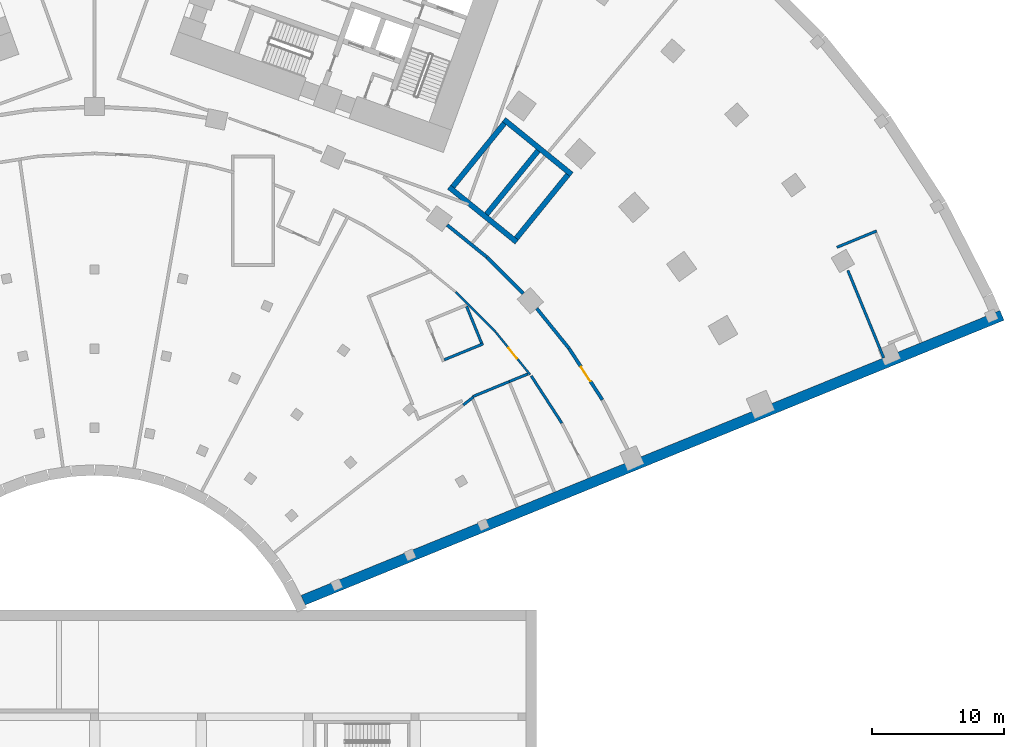
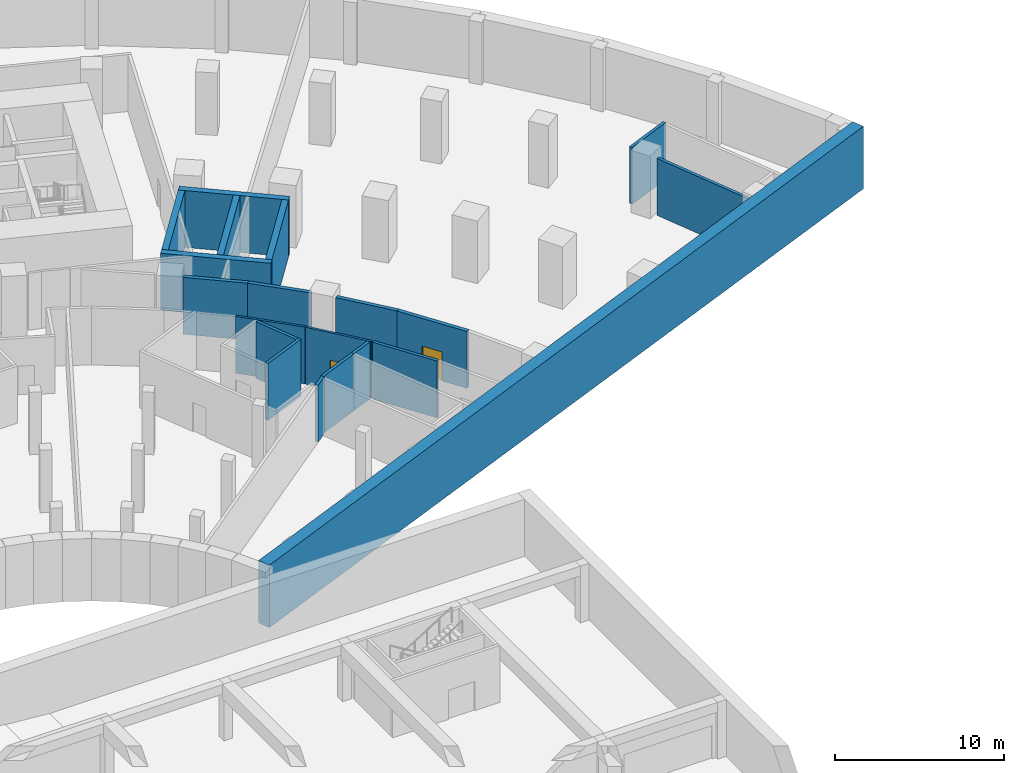
# One storey, part 11 of 21: 20 walls, 2 doors, 2 openings.
"""IFC4 building model written with IfcOpenShell, lengths in metres."""

from ifc_helpers import new_model, si_unit, direction, frame, frame_2d, origin, place, context, subcontext, project, spatial, rectangle, extrude, material, layer, layer_set, type_object, element, fill, save


model = new_model("IFC4")

# Units and contexts
model_context = context("Model", 3, precision=1e-05, world=origin(), true_north=direction((0.0, 1.0)))
body_context = subcontext(model_context, "Body", "Model", "MODEL_VIEW")
ifc_project = project(units=[si_unit("LENGTHUNIT", "METRE"), si_unit("AREAUNIT", "SQUARE_METRE"), si_unit("VOLUMEUNIT", "CUBIC_METRE"), si_unit("PLANEANGLEUNIT", "RADIAN"), si_unit("MASSUNIT", "GRAM", prefix="KILO")], contexts=[model_context])

# Site, building, storey
site_placement = place(None, origin())
site = spatial("IfcSite", under=ifc_project, at=site_placement, CompositionType="ELEMENT")
building_placement = place(site_placement, origin())
building = spatial("IfcBuilding", under=site, at=building_placement, Name="Stone Belt Terrace Tower", CompositionType="ELEMENT")
storey_placement = place(building_placement, frame((0.0, 0.0, -9.0)))
storey = spatial("IfcBuildingStorey", under=building, at=storey_placement, Name="B2", CompositionType="ELEMENT", Elevation=-9.0)

# Walls
ifc_material_1 = material(Name="Concrete B30", Category="concrete")
ifc_layer_1 = layer(ifc_material_1, 0.800048828125)
ifc_layer_set_1 = layer_set([ifc_layer_1], Name="Basement wall 800 B30")
wall_type_1 = type_object("IfcWallType", Name="Basement wall 800 B30", PredefinedType="SHEAR", material=ifc_layer_set_1)
wall_1_placement = place(storey_placement, frame((15.806396484375, 7.03173828125, 0.0), z_axis=(0.0, 0.0, 1.0), x_axis=(0.926043414777, 0.377417002728, 0.0)))
element("IfcWall", 1, at=wall_1_placement, inside=storey, type_object=wall_type_1, Name="Basement wall B2 23", PredefinedType="SHEAR", context=body_context, shape_type="SweptSolid", body=[
    extrude(rectangle(XDim=57.20166015625, YDim=0.800048828125, at=frame_2d((28.600830078125, 0.0))), origin(), (0.0, 0.0, 1.0), 4.5),
])
ifc_layer_2 = layer(ifc_material_1, 0.25)
ifc_layer_set_2 = layer_set([ifc_layer_2], Name="Compartment wall 250")
wall_type_2 = type_object("IfcWallType", Name="Compartment wall 250", PredefinedType="SOLIDWALL", material=ifc_layer_set_2)
wall_2_placement = place(storey_placement, frame((26.72265625, 35.472412109375, 0.0), z_axis=(0.0, 0.0, 1.0), x_axis=(0.777272744525, -0.629163794746, 0.0)))
element("IfcWall", 2, at=wall_2_placement, inside=storey, type_object=wall_type_2, Name="Compartment wall B2 12", PredefinedType="SOLIDWALL", context=body_context, shape_type="SweptSolid", body=[
    extrude(rectangle(XDim=3.875244140625, YDim=0.25, at=frame_2d((1.9375, 0.0))), origin(), (0.0, 0.0, 1.0), 4.10009765625),
])
wall_3_placement = place(storey_placement, frame((29.74462890625, 33.025390625, 0.0), z_axis=(0.0, 0.0, 1.0), x_axis=(0.707106781187, -0.707106781187, 0.0)))
element("IfcWall", 3, at=wall_3_placement, inside=storey, type_object=wall_type_2, Name="Compartment wall B2 13", PredefinedType="SOLIDWALL", context=body_context, shape_type="SweptSolid", body=[
    extrude(rectangle(XDim=3.8759765625, YDim=0.25, at=frame_2d((1.93798828125, 0.0))), origin(), (0.0, 0.0, 1.0), 4.10009765625),
])
wall_4_placement = place(storey_placement, frame((33.514404296875, 29.1416015625, 0.0), z_axis=(0.0, 0.0, 1.0), x_axis=(0.629104116974, -0.777321046934, 0.0)))
element("IfcWall", 4, at=wall_4_placement, inside=storey, type_object=wall_type_2, Name="Compartment wall B2 14", PredefinedType="SOLIDWALL", context=body_context, shape_type="SweptSolid", body=[
    extrude(rectangle(XDim=3.880859375, YDim=0.25, at=frame_2d((1.9404296875, 0.0))), origin(), (0.0, 0.0, 1.0), 4.10009765625),
])

# Wall, opening, door
wall_5_placement = place(storey_placement, frame((35.963623046875, 26.114501953125, 0.0), z_axis=(0.0, 0.0, 1.0), x_axis=(0.544253220019, -0.838920993002, 0.0)))
wall_5 = element("IfcWall", 5, at=wall_5_placement, inside=storey, type_object=wall_type_2, Name="Compartment wall B2 15", PredefinedType="SOLIDWALL", context=body_context, shape_type="SweptSolid", body=[
    extrude(rectangle(XDim=4.635498046875, YDim=0.25, at=frame_2d((2.31787109375, 0.0))), origin(), (0.0, 0.0, 1.0), 4.10009765625),
])
opening_1_placement = place(wall_5_placement, frame((1.667724609375, 0.0, 0.0)))
opening_1 = element("IfcOpeningElement", 6, at=opening_1_placement, cuts=wall_5, Name="Opening B2-P15", PredefinedType="OPENING", context=body_context, shape_type="SweptSolid", body=[
    extrude(rectangle(XDim=1.300048828125, YDim=2.10009765625, at=frame_2d((0.64990234375, 1.050048828125))), frame((0.0, 0.135009765625, 0.0), z_axis=(0.0, -1.0, 0.0), x_axis=(1.0, 0.0, 0.0)), (0.0, 0.0, 1.0), 0.27001953125),
])
ifc_material_2 = material(Name="Steel framed fire door leaf", Category="steel")
door_type_1 = type_object("IfcDoorType", Name="Fire door 1300 x 2100 EI 60", OperationType="SINGLE_SWING_LEFT", PredefinedType="DOOR", material=ifc_material_2)
door_1_placement = place(opening_1_placement, origin())
door_1 = element("IfcDoor", 7, at=door_1_placement, inside=storey, type_object=door_type_1, Name="Fire door 1300 x 2100 EI 60", OperationType="SINGLE_SWING_LEFT", OverallHeight=2.10009765625, OverallWidth=1.300048828125, PredefinedType="DOOR", context=body_context, shape_type="SweptSolid", body=[
    extrude(rectangle(XDim=1.300048828125, YDim=2.10009765625, at=frame_2d((0.64990234375, 1.050048828125))), frame((0.0, 0.02490234375, 0.0), z_axis=(0.0, -1.0, 0.0), x_axis=(1.0, 0.0, 0.0)), (0.0, 0.0, 1.0), 0.050048828125),
])
fill(opening_1, door_1)

# Walls
ifc_material_3 = material(Name="Blockwork wall, plastered both faces", Category="masonry")
ifc_layer_3 = layer(ifc_material_3, 0.199951171875)
ifc_layer_set_3 = layer_set([ifc_layer_3], Name="Podium demising wall 200")
wall_type_3 = type_object("IfcWallType", Name="Podium demising wall 200", PredefinedType="PARTITIONING", material=ifc_layer_set_3)
wall_6_placement = place(storey_placement, frame((27.93994140625, 21.830078125, 0.0), z_axis=(0.0, 0.0, 1.0), x_axis=(0.78757857942, 0.616214233233, 0.0)))
element("IfcWall", 8, at=wall_6_placement, inside=storey, type_object=wall_type_3, Name="Podium demising wall 200", PredefinedType="PARTITIONING", context=body_context, shape_type="SweptSolid", body=[
    extrude(rectangle(XDim=0.980224609375, YDim=0.199951171875, at=frame_2d((0.490234375, 0.0))), origin(), (0.0, 0.0, 1.0), 4.10009765625),
])
wall_7_placement = place(storey_placement, frame((31.420166015625, 23.60009765625, 0.0), z_axis=(0.0, 0.0, 1.0), x_axis=(0.925906762985, 0.377752122773, 0.0)))
element("IfcWall", 9, at=wall_7_placement, inside=storey, type_object=wall_type_3, Name="Podium demising wall 200", PredefinedType="PARTITIONING", context=body_context, shape_type="SweptSolid", body=[
    extrude(rectangle(XDim=1.532958984375, YDim=0.199951171875, at=frame_2d((0.7666015625, 0.0))), origin(), (0.0, 0.0, 1.0), 4.10009765625),
])
wall_8_placement = place(storey_placement, frame((33.092529296875, 24.0361328125, 0.0), z_axis=(0.0, 0.0, 1.0), x_axis=(0.544379260043, -0.838839210597, 0.0)))
element("IfcWall", 10, at=wall_8_placement, inside=storey, type_object=wall_type_3, Name="Podium demising wall 200", PredefinedType="PARTITIONING", context=body_context, shape_type="SweptSolid", body=[
    extrude(rectangle(XDim=4.27001953125, YDim=0.199951171875, at=frame_2d((2.135009765625, 0.0))), origin(), (0.0, 0.0, 1.0), 4.10009765625),
])
ifc_material_4 = material(Name="Reinforced blockwork wall, plastered both faces", Category="masonry")
ifc_layer_4 = layer(ifc_material_4, 0.199951171875)
ifc_layer_set_4 = layer_set([ifc_layer_4], Name="Podium lift shaft wall 200")
wall_type_4 = type_object("IfcWallType", Name="Podium lift shaft wall 200", PredefinedType="SOLIDWALL", material=ifc_layer_set_4)
wall_9_placement = place(storey_placement, frame((26.502685546875, 25.2578125, 0.0), z_axis=(0.0, 0.0, 1.0), x_axis=(0.92564908085, 0.378383111571, 0.0)))
element("IfcWall", 11, at=wall_9_placement, inside=storey, type_object=wall_type_4, Name="Podium lift shaft wall 200", PredefinedType="SOLIDWALL", context=body_context, shape_type="SweptSolid", body=[
    extrude(rectangle(XDim=3.19775390625, YDim=0.199951171875, at=frame_2d((1.598876953125, 0.0))), origin(), (0.0, 0.0, 1.0), 4.10009765625),
])
wall_10_placement = place(storey_placement, frame((28.19775390625, 29.29736328125, 0.0), z_axis=(0.0, 0.0, 1.0), x_axis=(0.378471104771, -0.925613106461, 0.0)))
element("IfcWall", 12, at=wall_10_placement, inside=storey, type_object=wall_type_4, Name="Podium lift shaft wall 200", PredefinedType="SOLIDWALL", context=body_context, shape_type="SweptSolid", body=[
    extrude(rectangle(XDim=2.99755859375, YDim=0.199951171875, at=frame_2d((1.498779296875, 0.0))), origin(), (0.0, 0.0, 1.0), 4.10009765625),
])
ifc_material_5 = material(Name="Gypsum board on steel stud partition", Category="steel")
ifc_layer_5 = layer(ifc_material_5, 0.14990234375)
ifc_layer_set_5 = layer_set([ifc_layer_5], Name="Podium partition 150")
wall_type_5 = type_object("IfcWallType", Name="Podium partition 150", PredefinedType="PARTITIONING", material=ifc_layer_set_5)
wall_11_placement = place(storey_placement, frame((27.372802734375, 30.38720703125, 0.0), z_axis=(0.0, 0.0, 1.0), x_axis=(0.707106781187, -0.707106781187, 0.0)))
element("IfcWall", 13, at=wall_11_placement, inside=storey, type_object=wall_type_5, Name="Podium partition 150", PredefinedType="PARTITIONING", context=body_context, shape_type="SweptSolid", body=[
    extrude(rectangle(XDim=4.262939453125, YDim=0.14990234375, at=frame_2d((2.13134765625, 0.0))), origin(), (0.0, 0.0, 1.0), 4.10009765625),
])

# Wall, opening, door
wall_12_placement = place(storey_placement, frame((30.392578125, 27.366943359375, 0.0), z_axis=(0.0, 0.0, 1.0), x_axis=(0.629179626547, -0.777259929198, 0.0)))
wall_12 = element("IfcWall", 14, at=wall_12_placement, inside=storey, type_object=wall_type_5, Name="Podium partition 150", PredefinedType="PARTITIONING", context=body_context, shape_type="SweptSolid", body=[
    extrude(rectangle(XDim=4.153076171875, YDim=0.14990234375, at=frame_2d((2.07666015625, 0.0))), origin(), (0.0, 0.0, 1.0), 4.10009765625),
])
opening_2_placement = place(wall_12_placement, frame((1.57666015625, 0.0, 0.0)))
opening_2 = element("IfcOpeningElement", 15, at=opening_2_placement, cuts=wall_12, Name="Opening B2-P19", PredefinedType="OPENING", context=body_context, shape_type="SweptSolid", body=[
    extrude(rectangle(XDim=1.0, YDim=2.10009765625, at=frame_2d((0.5, 1.050048828125))), frame((0.0, 0.0849609375, 0.0), z_axis=(0.0, -1.0, 0.0), x_axis=(1.0, 0.0, 0.0)), (0.0, 0.0, 1.0), 0.169921875),
])
ifc_material_6 = material(Name="Steel framed door leaf", Category="steel")
door_type_2 = type_object("IfcDoorType", Name="Podium door single 1000", OperationType="SINGLE_SWING_LEFT", PredefinedType="DOOR", material=ifc_material_6)
door_2_placement = place(opening_2_placement, origin())
door_2 = element("IfcDoor", 16, at=door_2_placement, inside=storey, type_object=door_type_2, Name="Podium door single 1000", OperationType="SINGLE_SWING_LEFT", OverallHeight=2.10009765625, OverallWidth=1.0, PredefinedType="DOOR", context=body_context, shape_type="SweptSolid", body=[
    extrude(rectangle(XDim=1.0, YDim=2.10009765625, at=frame_2d((0.5, 1.050048828125))), frame((0.0, 0.02490234375, 0.0), z_axis=(0.0, -1.0, 0.0), x_axis=(1.0, 0.0, 0.0)), (0.0, 0.0, 1.0), 0.050048828125),
])
fill(opening_2, door_2)

# Walls
ifc_layer_6 = layer(ifc_material_1, 0.199951171875)
ifc_layer_set_6 = layer_set([ifc_layer_6], Name="Podium stair and shaft wall 200")
wall_type_6 = type_object("IfcWallType", Name="Podium stair and shaft wall 200", PredefinedType="SOLIDWALL", material=ifc_layer_set_6)
wall_13_placement = place(storey_placement, frame((28.6923828125, 22.47802734375, 0.0), z_axis=(0.0, 0.0, 1.0), x_axis=(0.924830605984, 0.380379218985, 0.0)))
element("IfcWall", 17, at=wall_13_placement, inside=storey, type_object=wall_type_6, Name="Podium stair and shaft wall 200", PredefinedType="SOLIDWALL", context=body_context, shape_type="SweptSolid", body=[
    extrude(rectangle(XDim=2.94921875, YDim=0.199951171875, at=frame_2d((1.474609375, 0.0))), origin(), (0.0, 0.0, 1.0), 4.10009765625),
])
wall_14_placement = place(storey_placement, frame((56.267578125, 33.781982421875, 0.0), z_axis=(0.0, 0.0, 1.0), x_axis=(0.924810313923, 0.380428552112, 0.0)))
element("IfcWall", 18, at=wall_14_placement, inside=storey, type_object=wall_type_6, Name="Podium stair and shaft wall 200", PredefinedType="SOLIDWALL", context=body_context, shape_type="SweptSolid", body=[
    extrude(rectangle(XDim=3.249267578125, YDim=0.199951171875, at=frame_2d((1.62451171875, 0.0))), origin(), (0.0, 0.0, 1.0), 4.10009765625),
])
wall_15_placement = place(storey_placement, frame((57.094482421875, 32.02880859375, 0.0), z_axis=(0.0, 0.0, 1.0), x_axis=(0.379331985473, -0.925260636144, 0.0)))
element("IfcWall", 19, at=wall_15_placement, inside=storey, type_object=wall_type_6, Name="Podium stair and shaft wall 200", PredefinedType="SOLIDWALL", context=body_context, shape_type="SweptSolid", body=[
    extrude(rectangle(XDim=7.16455078125, YDim=0.199951171875, at=frame_2d((3.582275390625, 0.0))), origin(), (0.0, 0.0, 1.0), 4.10009765625),
])
ifc_material_7 = material(Name="Concrete B80", Category="concrete")
ifc_layer_7 = layer(ifc_material_7, 0.39990234375)
ifc_layer_set_7 = layer_set([ifc_layer_7], Name="Stair enclosure wall 400")
wall_type_7 = type_object("IfcWallType", Name="Stair enclosure wall 400", PredefinedType="SHEAR", material=ifc_layer_set_7)
wall_16_placement = place(storey_placement, frame((26.868408203125, 38.3388671875, 0.0), z_axis=(0.0, 0.0, 1.0), x_axis=(0.776428452498, -0.630205409491, 0.0)))
element("IfcWall", 20, at=wall_16_placement, inside=storey, type_object=wall_type_7, Name="Exit stair ST3B wall base", PredefinedType="SHEAR", context=body_context, shape_type="SweptSolid", body=[
    extrude(rectangle(XDim=6.60009765625, YDim=0.39990234375, at=frame_2d((3.300048828125, 0.0))), origin(), (0.0, 0.0, 1.0), 4.10009765625),
])
wall_17_placement = place(storey_placement, frame((31.02783203125, 43.46337890625, 0.0), z_axis=(0.0, 0.0, 1.0), x_axis=(0.776413760801, -0.630223509589, 0.0)))
element("IfcWall", 21, at=wall_17_placement, inside=storey, type_object=wall_type_7, Name="Exit stair ST3B wall base", PredefinedType="SHEAR", context=body_context, shape_type="SweptSolid", body=[
    extrude(rectangle(XDim=6.599853515625, YDim=0.39990234375, at=frame_2d((3.2998046875, 0.0))), origin(), (0.0, 0.0, 1.0), 4.10009765625),
])
for number, where, z_axis, x_axis, name in (
    (22, (27.149658203125, 38.3681640625, 0.0), (0.0, 0.0, 1.0), (0.630211551729, 0.776423466973, 0.0), "Exit stair ST3B wall base"),
    (23, (31.963623046875, 34.460693359375, 0.0), (0.0, 0.0, 1.0), (0.630192283849, 0.776439106033, 0.0), "Exit stair ST3B wall base"),
    (24, (29.7119140625, 36.288330078125, 0.0), (0.0, 0.0, 1.0), (0.630192283849, 0.776439106033, 0.0), "Exit stair ST3B wall base"),
):
    element("IfcWall", number, at=place(storey_placement, frame(where, z_axis=z_axis, x_axis=x_axis)), inside=storey, type_object=wall_type_7, Name=name, PredefinedType="SHEAR", context=body_context, shape_type="SweptSolid", body=[
        extrude(rectangle(XDim=6.199951171875, YDim=0.39990234375, at=frame_2d((3.10009765625, 0.0))), origin(), (0.0, 0.0, 1.0), 4.10009765625),
    ])

save(model, "model.ifc")
